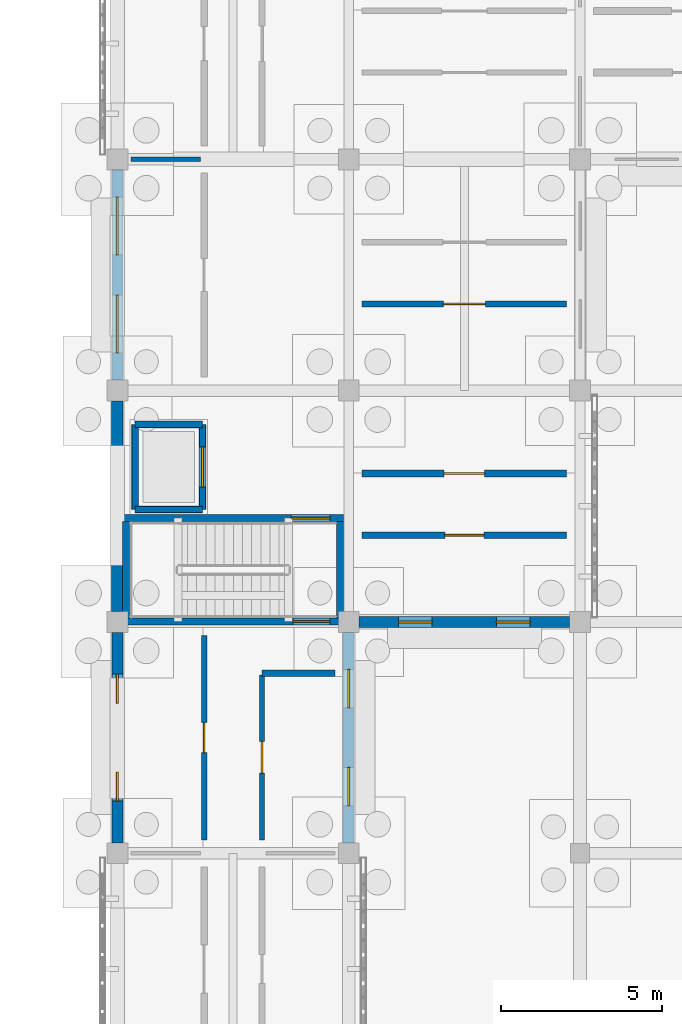
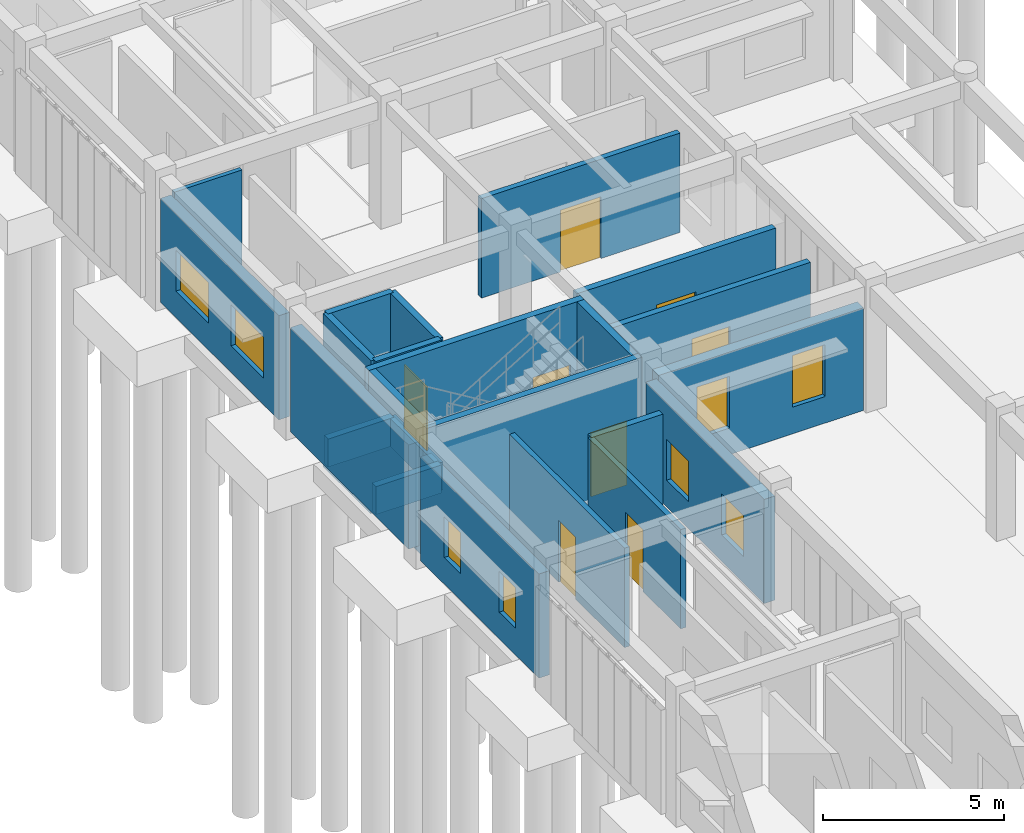
# One storey, part 63 of 111: 24 walls, 8 doors, 8 windows, 16 openings.
"""IFC4 building model written with IfcOpenShell, lengths in metres."""

from ifc_helpers import new_model, si_unit, direction, frame, frame_2d, origin, place, context, subcontext, project, spatial, rectangle, extrude, material, layer, layer_set, type_object, element, fill, save


model = new_model("IFC4")

# Units and contexts
model_context = context("Model", 3, precision=1e-05, world=origin(), true_north=direction((0.0, 1.0)))
body_context = subcontext(model_context, "Body", "Model", "MODEL_VIEW")
ifc_project = project(units=[si_unit("LENGTHUNIT", "METRE"), si_unit("AREAUNIT", "SQUARE_METRE"), si_unit("VOLUMEUNIT", "CUBIC_METRE"), si_unit("PLANEANGLEUNIT", "RADIAN"), si_unit("MASSUNIT", "GRAM", prefix="KILO")], contexts=[model_context])

# Site, building, storey
site_placement = place(None, origin())
site = spatial("IfcSite", under=ifc_project, at=site_placement, CompositionType="ELEMENT")
building_placement = place(site_placement, origin())
building = spatial("IfcBuilding", under=site, at=building_placement, Name="Aldebral Square Health Centre", CompositionType="ELEMENT")
storey_placement = place(building_placement, origin())
storey = spatial("IfcBuildingStorey", under=building, at=storey_placement, Name="L00", CompositionType="ELEMENT", Elevation=0.0)

# Wall, openings, windows
ifc_material_1 = material(Name="Cream cantera stone and concrete wall C35/45", Category="masonry")
ifc_layer_1 = layer(ifc_material_1, 0.340087890625, Name="Cream cantera stone and concrete wall C35/45", Category="masonry")
ifc_layer_set_1 = layer_set([ifc_layer_1], Name="Cream cantera stone and concrete wall C35/45")
wall_type_1 = type_object("IfcWallType", Name="EW-CAN-340", PredefinedType="SOLIDWALL", material=ifc_layer_set_1)
wall_1_placement = place(storey_placement, frame((0.0, 28.47509765625, 0.0), z_axis=(0.0, 0.0, 1.0), x_axis=(0.0, -1.0, 0.0)))
wall_1 = element("IfcWall", 1, at=wall_1_placement, inside=storey, type_object=wall_type_1, Name="L00 V6 exterior wall L00-V6-00-03-W", PredefinedType="SOLIDWALL", context=body_context, shape_type="SweptSolid", body=[
    extrude(rectangle(XDim=6.550048828125, YDim=0.340087890625, at=frame_2d((3.27490234375, 0.0))), origin(), (0.0, 0.0, 1.0), 3.52001953125),
])
opening_1_placement = place(wall_1_placement, frame((1.300048828125, 0.0, 0.89990234375)))
opening_1 = element("IfcOpeningElement", 2, at=opening_1_placement, cuts=wall_1, Name="Opening W10", PredefinedType="OPENING", context=body_context, shape_type="SweptSolid", body=[
    extrude(rectangle(XDim=0.89990234375, YDim=1.3798828125, at=frame_2d((0.449951171875, 0.68994140625))), frame((0.0, 0.18017578125, 0.0), z_axis=(0.0, -1.0, 0.0), x_axis=(1.0, 0.0, 0.0)), (0.0, 0.0, 1.0), 0.360107421875),
])
opening_2_placement = place(wall_1_placement, frame((4.35009765625, 0.0, 0.89990234375)))
opening_2 = element("IfcOpeningElement", 3, at=opening_2_placement, cuts=wall_1, Name="Opening W10", PredefinedType="OPENING", context=body_context, shape_type="SweptSolid", body=[
    extrude(rectangle(XDim=0.89990234375, YDim=1.3798828125, at=frame_2d((0.449951171875, 0.68994140625))), frame((0.0, 0.18017578125, 0.0), z_axis=(0.0, -1.0, 0.0), x_axis=(1.0, 0.0, 0.0)), (0.0, 0.0, 1.0), 0.360107421875),
])
ifc_material_2 = material(Name="Thermally broken aluminium and low-E glass", Category="aluminium")
window_type_1 = type_object("IfcWindowType", Name="WIN-W10", PartitioningType="SINGLE_PANEL", PredefinedType="WINDOW", material=ifc_material_2)
window_1_placement = place(opening_1_placement, origin())
window_1 = element("IfcWindow", 4, at=window_1_placement, inside=storey, type_object=window_type_1, Name="L00 clinical window L00-V6-00-03-W.1", OverallHeight=1.3798828125, OverallWidth=0.89990234375, PartitioningType="SINGLE_PANEL", PredefinedType="WINDOW", context=body_context, shape_type="SweptSolid", body=[
    extrude(rectangle(XDim=0.89990234375, YDim=1.3798828125, at=frame_2d((0.449951171875, 0.68994140625))), frame((0.0, 0.030029296875, 0.0), z_axis=(0.0, -1.0, 0.0), x_axis=(1.0, 0.0, 0.0)), (0.0, 0.0, 1.0), 0.06005859375),
])
fill(opening_1, window_1)
window_2_placement = place(opening_2_placement, origin())
window_2 = element("IfcWindow", 5, at=window_2_placement, inside=storey, type_object=window_type_1, Name="L00 clinical window L00-V6-00-03-W.2", OverallHeight=1.3798828125, OverallWidth=0.89990234375, PartitioningType="SINGLE_PANEL", PredefinedType="WINDOW", context=body_context, shape_type="SweptSolid", body=[
    extrude(rectangle(XDim=0.89990234375, YDim=1.3798828125, at=frame_2d((0.449951171875, 0.68994140625))), frame((0.0, 0.030029296875, 0.0), z_axis=(0.0, -1.0, 0.0), x_axis=(1.0, 0.0, 0.0)), (0.0, 0.0, 1.0), 0.06005859375),
])
fill(opening_2, window_2)

wall_2_placement = place(storey_placement, frame((7.199951171875, 21.925048828125, 0.0), z_axis=(0.0, 0.0, 1.0), x_axis=(0.0, 1.0, 0.0)))
wall_2 = element("IfcWall", 6, at=wall_2_placement, inside=storey, type_object=wall_type_1, Name="L00 V6 exterior wall L00-V6-00-03-E", PredefinedType="SOLIDWALL", context=body_context, shape_type="SweptSolid", body=[
    extrude(rectangle(XDim=6.550048828125, YDim=0.340087890625, at=frame_2d((3.27490234375, 0.0))), origin(), (0.0, 0.0, 1.0), 3.52001953125),
])
opening_3_placement = place(wall_2_placement, frame((1.14990234375, 0.0, 0.89990234375)))
opening_3 = element("IfcOpeningElement", 7, at=opening_3_placement, cuts=wall_2, Name="Opening W12", PredefinedType="OPENING", context=body_context, shape_type="SweptSolid", body=[
    extrude(rectangle(XDim=1.199951171875, YDim=1.3798828125, at=frame_2d((0.60009765625, 0.68994140625))), frame((0.0, 0.18017578125, 0.0), z_axis=(0.0, -1.0, 0.0), x_axis=(1.0, 0.0, 0.0)), (0.0, 0.0, 1.0), 0.360107421875),
])
opening_4_placement = place(wall_2_placement, frame((4.199951171875, 0.0, 0.89990234375)))
opening_4 = element("IfcOpeningElement", 8, at=opening_4_placement, cuts=wall_2, Name="Opening W12", PredefinedType="OPENING", context=body_context, shape_type="SweptSolid", body=[
    extrude(rectangle(XDim=1.199951171875, YDim=1.3798828125, at=frame_2d((0.60009765625, 0.68994140625))), frame((0.0, 0.18017578125, 0.0), z_axis=(0.0, -1.0, 0.0), x_axis=(1.0, 0.0, 0.0)), (0.0, 0.0, 1.0), 0.360107421875),
])
window_type_2 = type_object("IfcWindowType", Name="WIN-W12", PartitioningType="SINGLE_PANEL", PredefinedType="WINDOW", material=ifc_material_2)
window_3_placement = place(opening_3_placement, origin())
window_3 = element("IfcWindow", 9, at=window_3_placement, inside=storey, type_object=window_type_2, Name="L00 clinical window L00-V6-00-03-E.1", OverallHeight=1.3798828125, OverallWidth=1.199951171875, PartitioningType="SINGLE_PANEL", PredefinedType="WINDOW", context=body_context, shape_type="SweptSolid", body=[
    extrude(rectangle(XDim=1.199951171875, YDim=1.3798828125, at=frame_2d((0.60009765625, 0.68994140625))), frame((0.0, 0.030029296875, 0.0), z_axis=(0.0, -1.0, 0.0), x_axis=(1.0, 0.0, 0.0)), (0.0, 0.0, 1.0), 0.06005859375),
])
fill(opening_3, window_3)
window_4_placement = place(opening_4_placement, origin())
window_4 = element("IfcWindow", 10, at=window_4_placement, inside=storey, type_object=window_type_2, Name="L00 clinical window L00-V6-00-03-E.2", OverallHeight=1.3798828125, OverallWidth=1.199951171875, PartitioningType="SINGLE_PANEL", PredefinedType="WINDOW", context=body_context, shape_type="SweptSolid", body=[
    extrude(rectangle(XDim=1.199951171875, YDim=1.3798828125, at=frame_2d((0.60009765625, 0.68994140625))), frame((0.0, 0.030029296875, 0.0), z_axis=(0.0, -1.0, 0.0), x_axis=(1.0, 0.0, 0.0)), (0.0, 0.0, 1.0), 0.06005859375),
])
fill(opening_4, window_4)

wall_3_placement = place(storey_placement, frame((0.0, 42.875, 0.0), z_axis=(0.0, 0.0, 1.0), x_axis=(0.0, -1.0, 0.0)))
wall_3 = element("IfcWall", 11, at=wall_3_placement, inside=storey, type_object=wall_type_1, Name="L00 V6 exterior wall L00-V6-00-05-W", PredefinedType="SOLIDWALL", context=body_context, shape_type="SweptSolid", body=[
    extrude(rectangle(XDim=6.550048828125, YDim=0.340087890625, at=frame_2d((3.27490234375, 0.0))), origin(), (0.0, 0.0, 1.0), 3.52001953125),
])
opening_5_placement = place(wall_3_placement, frame((0.85009765625, 0.0, 0.89990234375)))
opening_5 = element("IfcOpeningElement", 12, at=opening_5_placement, cuts=wall_3, Name="Opening W16", PredefinedType="OPENING", context=body_context, shape_type="SweptSolid", body=[
    extrude(rectangle(XDim=1.800048828125, YDim=1.3798828125, at=frame_2d((0.89990234375, 0.68994140625))), frame((0.0, 0.18017578125, 0.0), z_axis=(0.0, -1.0, 0.0), x_axis=(1.0, 0.0, 0.0)), (0.0, 0.0, 1.0), 0.360107421875),
])
opening_6_placement = place(wall_3_placement, frame((3.89990234375, 0.0, 0.89990234375)))
opening_6 = element("IfcOpeningElement", 13, at=opening_6_placement, cuts=wall_3, Name="Opening W16", PredefinedType="OPENING", context=body_context, shape_type="SweptSolid", body=[
    extrude(rectangle(XDim=1.800048828125, YDim=1.3798828125, at=frame_2d((0.89990234375, 0.68994140625))), frame((0.0, 0.18017578125, 0.0), z_axis=(0.0, -1.0, 0.0), x_axis=(1.0, 0.0, 0.0)), (0.0, 0.0, 1.0), 0.360107421875),
])
window_type_3 = type_object("IfcWindowType", Name="WIN-W16", PartitioningType="SINGLE_PANEL", PredefinedType="WINDOW", material=ifc_material_2)
window_5_placement = place(opening_5_placement, origin())
window_5 = element("IfcWindow", 14, at=window_5_placement, inside=storey, type_object=window_type_3, Name="L00 clinical window L00-V6-00-05-W.1", OverallHeight=1.3798828125, OverallWidth=1.800048828125, PartitioningType="SINGLE_PANEL", PredefinedType="WINDOW", context=body_context, shape_type="SweptSolid", body=[
    extrude(rectangle(XDim=1.800048828125, YDim=1.3798828125, at=frame_2d((0.89990234375, 0.68994140625))), frame((0.0, 0.030029296875, 0.0), z_axis=(0.0, -1.0, 0.0), x_axis=(1.0, 0.0, 0.0)), (0.0, 0.0, 1.0), 0.06005859375),
])
fill(opening_5, window_5)
window_6_placement = place(opening_6_placement, origin())
window_6 = element("IfcWindow", 15, at=window_6_placement, inside=storey, type_object=window_type_3, Name="L00 clinical window L00-V6-00-05-W.2", OverallHeight=1.3798828125, OverallWidth=1.800048828125, PartitioningType="SINGLE_PANEL", PredefinedType="WINDOW", context=body_context, shape_type="SweptSolid", body=[
    extrude(rectangle(XDim=1.800048828125, YDim=1.3798828125, at=frame_2d((0.89990234375, 0.68994140625))), frame((0.0, 0.030029296875, 0.0), z_axis=(0.0, -1.0, 0.0), x_axis=(1.0, 0.0, 0.0)), (0.0, 0.0, 1.0), 0.06005859375),
])
fill(opening_6, window_6)

wall_4_placement = place(storey_placement, frame((7.52490234375, 28.800048828125, 0.0), z_axis=(0.0, 0.0, 1.0), x_axis=(1.0, 0.0, 0.0)))
wall_4 = element("IfcWall", 16, at=wall_4_placement, inside=storey, type_object=wall_type_1, Name="L00 V6 exterior wall L00-V6-01-04-S", PredefinedType="SOLIDWALL", context=body_context, shape_type="SweptSolid", body=[
    extrude(rectangle(XDim=6.550048828125, YDim=0.340087890625, at=frame_2d((3.27490234375, 0.0))), origin(), (0.0, 0.0, 1.0), 3.469970703125),
])
opening_7_placement = place(wall_4_placement, frame((1.22509765625, 0.0, 0.89990234375)))
opening_7 = element("IfcOpeningElement", 17, at=opening_7_placement, cuts=wall_4, Name="Opening W38", PredefinedType="OPENING", context=body_context, shape_type="SweptSolid", body=[
    extrude(rectangle(XDim=1.050048828125, YDim=1.75, at=frame_2d((0.52490234375, 0.875))), frame((0.0, 0.18017578125, 0.0), z_axis=(0.0, -1.0, 0.0), x_axis=(1.0, 0.0, 0.0)), (0.0, 0.0, 1.0), 0.360107421875),
])
opening_8_placement = place(wall_4_placement, frame((4.27490234375, 0.0, 0.89990234375)))
opening_8 = element("IfcOpeningElement", 18, at=opening_8_placement, cuts=wall_4, Name="Opening W38", PredefinedType="OPENING", context=body_context, shape_type="SweptSolid", body=[
    extrude(rectangle(XDim=1.050048828125, YDim=1.75, at=frame_2d((0.52490234375, 0.875))), frame((0.0, 0.18017578125, 0.0), z_axis=(0.0, -1.0, 0.0), x_axis=(1.0, 0.0, 0.0)), (0.0, 0.0, 1.0), 0.360107421875),
])
window_type_4 = type_object("IfcWindowType", Name="WIN-W38", PartitioningType="SINGLE_PANEL", PredefinedType="WINDOW", material=ifc_material_2)
window_7_placement = place(opening_7_placement, origin())
window_7 = element("IfcWindow", 19, at=window_7_placement, inside=storey, type_object=window_type_4, Name="L00 clinical window L00-V6-01-04-S.1", OverallHeight=1.75, OverallWidth=1.050048828125, PartitioningType="SINGLE_PANEL", PredefinedType="WINDOW", context=body_context, shape_type="SweptSolid", body=[
    extrude(rectangle(XDim=1.050048828125, YDim=1.75, at=frame_2d((0.52490234375, 0.875))), frame((0.0, 0.030029296875, 0.0), z_axis=(0.0, -1.0, 0.0), x_axis=(1.0, 0.0, 0.0)), (0.0, 0.0, 1.0), 0.06005859375),
])
fill(opening_7, window_7)
window_8_placement = place(opening_8_placement, origin())
window_8 = element("IfcWindow", 20, at=window_8_placement, inside=storey, type_object=window_type_4, Name="L00 clinical window L00-V6-01-04-S.2", OverallHeight=1.75, OverallWidth=1.050048828125, PartitioningType="SINGLE_PANEL", PredefinedType="WINDOW", context=body_context, shape_type="SweptSolid", body=[
    extrude(rectangle(XDim=1.050048828125, YDim=1.75, at=frame_2d((0.52490234375, 0.875))), frame((0.0, 0.030029296875, 0.0), z_axis=(0.0, -1.0, 0.0), x_axis=(1.0, 0.0, 0.0)), (0.0, 0.0, 1.0), 0.06005859375),
])
fill(opening_8, window_8)

# Wall
ifc_layer_2 = layer(ifc_material_1, 0.360107421875, Name="Cream cantera stone and concrete wall C35/45", Category="masonry")
ifc_layer_set_2 = layer_set([ifc_layer_2], Name="Cream cantera stone and concrete wall C35/45")
wall_type_2 = type_object("IfcWallType", Name="EW-CAN-360", PredefinedType="SOLIDWALL", material=ifc_layer_set_2)
wall_5_placement = place(storey_placement, frame((0.0, 35.675048828125, 0.0), z_axis=(0.0, 0.0, 1.0), x_axis=(0.0, -1.0, 0.0)))
element("IfcWall", 21, at=wall_5_placement, inside=storey, type_object=wall_type_2, Name="L00 V6 exterior wall L00-V6-00-04-W", PredefinedType="SOLIDWALL", context=body_context, shape_type="SweptSolid", body=[
    extrude(rectangle(XDim=6.550048828125, YDim=0.360107421875, at=frame_2d((3.27490234375, 0.0))), origin(), (0.0, 0.0, 1.0), 3.52001953125),
])

# Wall, opening, door
ifc_material_3 = material(Name="Concrete C35/45 compartment wall", Category="concrete")
ifc_layer_3 = layer(ifc_material_3, 0.199951171875, Name="Concrete C35/45 compartment wall", Category="concrete")
ifc_layer_set_3 = layer_set([ifc_layer_3], Name="Concrete C35/45 compartment wall")
wall_type_3 = type_object("IfcWallType", Name="IW-CMP-200", PredefinedType="SOLIDWALL", material=ifc_layer_set_3)
wall_6_placement = place(storey_placement, frame((7.6201171875, 31.5, 0.0), z_axis=(0.0, 0.0, 1.0), x_axis=(1.0, 0.0, 0.0)))
wall_6 = element("IfcWall", 22, at=wall_6_placement, inside=storey, type_object=wall_type_3, Name="L00 Nutrition Teaching Studio 2.5S corridor wall", PredefinedType="SOLIDWALL", context=body_context, shape_type="SweptSolid", body=[
    extrude(rectangle(XDim=6.35986328125, YDim=0.199951171875, at=frame_2d((3.179931640625, 0.0))), origin(), (0.0, 0.0, 1.0), 3.360107421875),
])
opening_9_placement = place(wall_6_placement, frame((2.570068359375, 0.0, 0.0)))
opening_9 = element("IfcOpeningElement", 23, at=opening_9_placement, cuts=wall_6, Name="Opening D-0177", PredefinedType="OPENING", context=body_context, shape_type="SweptSolid", body=[
    extrude(rectangle(XDim=1.219970703125, YDim=2.090087890625, at=frame_2d((0.60986328125, 1.044921875))), frame((0.0, 0.10986328125, 0.0), z_axis=(0.0, -1.0, 0.0), x_axis=(1.0, 0.0, 0.0)), (0.0, 0.0, 1.0), 0.219970703125),
])
ifc_material_4 = material(Name="Clinical suite fire door")
door_type_1 = type_object("IfcDoorType", Name="ID-EXD-24", OperationType="NOTDEFINED", PredefinedType="DOOR", material=ifc_material_4)
door_1_placement = place(opening_9_placement, origin())
door_1 = element("IfcDoor", 24, at=door_1_placement, inside=storey, type_object=door_type_1, Name="L00 Nutrition Teaching Studio 2.5S door", OperationType="SINGLE_SWING_RIGHT", OverallHeight=2.090087890625, OverallWidth=1.219970703125, PredefinedType="DOOR", context=body_context, shape_type="SweptSolid", body=[
    extrude(rectangle(XDim=1.219970703125, YDim=2.090087890625, at=frame_2d((0.60986328125, 1.044921875))), frame((0.0, 0.02490234375, 0.0), z_axis=(0.0, -1.0, 0.0), x_axis=(1.0, 0.0, 0.0)), (0.0, 0.0, 1.0), 0.050048828125),
])
fill(opening_9, door_1)

ifc_material_5 = material(Name="Fire-rated acoustic gypsum partition")
ifc_layer_4 = layer(ifc_material_5, 0.1650390625, Name="Fire-rated acoustic gypsum partition")
ifc_layer_set_4 = layer_set([ifc_layer_4], Name="Fire-rated acoustic gypsum partition")
wall_type_4 = type_object("IfcWallType", Name="IW-COR-165", PredefinedType="PARTITIONING", material=ifc_layer_set_4)
wall_7_placement = place(storey_placement, frame((2.699951171875, 22.02001953125, 0.0), z_axis=(0.0, 0.0, 1.0), x_axis=(0.0, 1.0, 0.0)))
wall_7 = element("IfcWall", 25, at=wall_7_placement, inside=storey, type_object=wall_type_4, Name="L00 Health Education Classroom 1.4W corridor wall", PredefinedType="PARTITIONING", context=body_context, shape_type="SweptSolid", body=[
    extrude(rectangle(XDim=6.35986328125, YDim=0.1650390625, at=frame_2d((3.179931640625, 0.0))), origin(), (0.0, 0.0, 1.0), 3.360107421875),
])
opening_10_placement = place(wall_7_placement, frame((2.7099609375, 0.0, 0.0)))
opening_10 = element("IfcOpeningElement", 26, at=opening_10_placement, cuts=wall_7, Name="Opening D-0170", PredefinedType="OPENING", context=body_context, shape_type="SweptSolid", body=[
    extrude(rectangle(XDim=0.93994140625, YDim=2.090087890625, at=frame_2d((0.469970703125, 1.044921875))), frame((0.0, 0.092529296875, 0.0), z_axis=(0.0, -1.0, 0.0), x_axis=(1.0, 0.0, 0.0)), (0.0, 0.0, 1.0), 0.18505859375),
])
door_type_2 = type_object("IfcDoorType", Name="ID-EXD-17", OperationType="NOTDEFINED", PredefinedType="DOOR", material=ifc_material_4)
door_2_placement = place(opening_10_placement, origin())
door_2 = element("IfcDoor", 27, at=door_2_placement, inside=storey, type_object=door_type_2, Name="L00 Health Education Classroom 1.4W door", OperationType="SINGLE_SWING_LEFT", OverallHeight=2.090087890625, OverallWidth=0.93994140625, PredefinedType="DOOR", context=body_context, shape_type="SweptSolid", body=[
    extrude(rectangle(XDim=0.93994140625, YDim=2.090087890625, at=frame_2d((0.469970703125, 1.044921875))), frame((0.0, 0.02490234375, 0.0), z_axis=(0.0, -1.0, 0.0), x_axis=(1.0, 0.0, 0.0)), (0.0, 0.0, 1.0), 0.050048828125),
])
fill(opening_10, door_2)

wall_8_placement = place(storey_placement, frame((4.5, 22.02001953125, 0.0), z_axis=(0.0, 0.0, 1.0), x_axis=(0.0, 1.0, 0.0)))
wall_8 = element("IfcWall", 28, at=wall_8_placement, inside=storey, type_object=wall_type_4, Name="L00 Social Work Interview Room 1.4E corridor wall", PredefinedType="PARTITIONING", context=body_context, shape_type="SweptSolid", body=[
    extrude(rectangle(XDim=5.1298828125, YDim=0.1650390625, at=frame_2d((2.56494140625, 0.0))), origin(), (0.0, 0.0, 1.0), 3.360107421875),
])
opening_11_placement = place(wall_8_placement, frame((2.074951171875, 0.0, 0.0)))
opening_11 = element("IfcOpeningElement", 29, at=opening_11_placement, cuts=wall_8, Name="Opening D-0171", PredefinedType="OPENING", context=body_context, shape_type="SweptSolid", body=[
    extrude(rectangle(XDim=0.97998046875, YDim=2.090087890625, at=frame_2d((0.489990234375, 1.044921875))), frame((0.0, 0.092529296875, 0.0), z_axis=(0.0, -1.0, 0.0), x_axis=(1.0, 0.0, 0.0)), (0.0, 0.0, 1.0), 0.18505859375),
])
door_type_3 = type_object("IfcDoorType", Name="ID-EXD-18", OperationType="NOTDEFINED", PredefinedType="DOOR", material=ifc_material_4)
door_3_placement = place(opening_11_placement, origin())
door_3 = element("IfcDoor", 30, at=door_3_placement, inside=storey, type_object=door_type_3, Name="L00 Social Work Interview Room 1.4E door", OperationType="SINGLE_SWING_RIGHT", OverallHeight=2.090087890625, OverallWidth=0.97998046875, PredefinedType="DOOR", context=body_context, shape_type="SweptSolid", body=[
    extrude(rectangle(XDim=0.97998046875, YDim=2.090087890625, at=frame_2d((0.489990234375, 1.044921875))), frame((0.0, 0.02490234375, 0.0), z_axis=(0.0, -1.0, 0.0), x_axis=(1.0, 0.0, 0.0)), (0.0, 0.0, 1.0), 0.050048828125),
])
fill(opening_11, door_3)

ifc_layer_5 = layer(ifc_material_5, 0.179931640625, Name="Fire-rated acoustic gypsum partition")
ifc_layer_set_5 = layer_set([ifc_layer_5], Name="Fire-rated acoustic gypsum partition")
wall_type_5 = type_object("IfcWallType", Name="IW-COR-180", PredefinedType="PARTITIONING", material=ifc_layer_set_5)
wall_9_placement = place(storey_placement, frame((7.6201171875, 38.699951171875, 0.0), z_axis=(0.0, 0.0, 1.0), x_axis=(1.0, 0.0, 0.0)))
wall_9 = element("IfcWall", 31, at=wall_9_placement, inside=storey, type_object=wall_type_5, Name="L00 Community Room 2.6S corridor wall", PredefinedType="PARTITIONING", context=body_context, shape_type="SweptSolid", body=[
    extrude(rectangle(XDim=6.35986328125, YDim=0.179931640625, at=frame_2d((3.179931640625, 0.0))), origin(), (0.0, 0.0, 1.0), 3.360107421875),
])
opening_12_placement = place(wall_9_placement, frame((2.530029296875, 0.0, 0.0)))
opening_12 = element("IfcOpeningElement", 32, at=opening_12_placement, cuts=wall_9, Name="Opening D-0179", PredefinedType="OPENING", context=body_context, shape_type="SweptSolid", body=[
    extrude(rectangle(XDim=1.300048828125, YDim=2.090087890625, at=frame_2d((0.64990234375, 1.044921875))), frame((0.0, 0.10009765625, 0.0), z_axis=(0.0, -1.0, 0.0), x_axis=(1.0, 0.0, 0.0)), (0.0, 0.0, 1.0), 0.199951171875),
])
door_type_4 = type_object("IfcDoorType", Name="ID-EXD-26", OperationType="NOTDEFINED", PredefinedType="DOOR", material=ifc_material_4)
door_4_placement = place(opening_12_placement, origin())
door_4 = element("IfcDoor", 33, at=door_4_placement, inside=storey, type_object=door_type_4, Name="L00 Community Room 2.6S door", OperationType="SINGLE_SWING_RIGHT", OverallHeight=2.090087890625, OverallWidth=1.300048828125, PredefinedType="DOOR", context=body_context, shape_type="SweptSolid", body=[
    extrude(rectangle(XDim=1.300048828125, YDim=2.090087890625, at=frame_2d((0.64990234375, 1.044921875))), frame((0.0, 0.02490234375, 0.0), z_axis=(0.0, -1.0, 0.0), x_axis=(1.0, 0.0, 0.0)), (0.0, 0.0, 1.0), 0.050048828125),
])
fill(opening_12, door_4)

ifc_material_6 = material(Name="Concrete C40/50", Category="concrete")
ifc_layer_6 = layer(ifc_material_6, 0.219970703125, Name="Concrete C40/50", Category="concrete")
ifc_layer_set_6 = layer_set([ifc_layer_6], Name="Concrete C40/50")
wall_type_6 = type_object("IfcWallType", Name="IW-CORE-280", PredefinedType="SHEAR", material=ifc_layer_set_6)
wall_10_placement = place(storey_placement, frame((0.159912109375, 28.81005859375, -0.25), z_axis=(0.0, 0.0, 1.0), x_axis=(1.0, 0.0, 0.0)))
wall_10 = element("IfcWall", 34, at=wall_10_placement, inside=storey, type_object=wall_type_6, Name="L00 WC-C5 shaft wall S", PredefinedType="SHEAR", context=body_context, shape_type="SweptSolid", body=[
    extrude(rectangle(XDim=6.880126953125, YDim=0.219970703125, at=frame_2d((3.43994140625, 0.0))), origin(), (0.0, 0.0, 1.0), 4.469970703125),
])
opening_13_placement = place(wall_10_placement, frame((5.300048828125, 0.0, 0.25)))
opening_13 = element("IfcOpeningElement", 35, at=opening_13_placement, cuts=wall_10, Name="Opening D-0055", PredefinedType="OPENING", context=body_context, shape_type="SweptSolid", body=[
    extrude(rectangle(XDim=1.14990234375, YDim=2.14990234375, at=frame_2d((0.574951171875, 1.074951171875))), frame((0.0, 0.1201171875, 0.0), z_axis=(0.0, -1.0, 0.0), x_axis=(1.0, 0.0, 0.0)), (0.0, 0.0, 1.0), 0.239990234375),
])
ifc_material_7 = material(Name="Fire-rated steel lobby stair door", Category="steel")
door_type_5 = type_object("IfcDoorType", Name="ID-ST-115", OperationType="NOTDEFINED", PredefinedType="DOOR", material=ifc_material_7)
door_5_placement = place(opening_13_placement, origin())
door_5 = element("IfcDoor", 36, at=door_5_placement, inside=storey, type_object=door_type_5, Name="L00 ST-05 south lobby fire door", OperationType="SINGLE_SWING_LEFT", OverallHeight=2.14990234375, OverallWidth=1.14990234375, PredefinedType="DOOR", context=body_context, shape_type="SweptSolid", body=[
    extrude(rectangle(XDim=1.14990234375, YDim=2.14990234375, at=frame_2d((0.574951171875, 1.074951171875))), frame((0.0, 0.02490234375, 0.0), z_axis=(0.0, -1.0, 0.0), x_axis=(1.0, 0.0, 0.0)), (0.0, 0.0, 1.0), 0.050048828125),
])
fill(opening_13, door_5)

wall_11_placement = place(storey_placement, frame((0.159912109375, 32.030029296875, -0.25), z_axis=(0.0, 0.0, 1.0), x_axis=(1.0, 0.0, 0.0)))
wall_11 = element("IfcWall", 37, at=wall_11_placement, inside=storey, type_object=wall_type_6, Name="L00 WC-C5 shaft wall N", PredefinedType="SHEAR", context=body_context, shape_type="SweptSolid", body=[
    extrude(rectangle(XDim=6.880126953125, YDim=0.219970703125, at=frame_2d((3.43994140625, 0.0))), origin(), (0.0, 0.0, 1.0), 4.469970703125),
])
opening_14_placement = place(wall_11_placement, frame((5.25, 0.0, 0.25)))
opening_14 = element("IfcOpeningElement", 38, at=opening_14_placement, cuts=wall_11, Name="Opening D-0054", PredefinedType="OPENING", context=body_context, shape_type="SweptSolid", body=[
    extrude(rectangle(XDim=1.199951171875, YDim=2.14990234375, at=frame_2d((0.60009765625, 1.074951171875))), frame((0.0, 0.1201171875, 0.0), z_axis=(0.0, -1.0, 0.0), x_axis=(1.0, 0.0, 0.0)), (0.0, 0.0, 1.0), 0.239990234375),
])
ifc_material_8 = material(Name="Fire-rated steel stair door", Category="steel")
door_type_6 = type_object("IfcDoorType", Name="ID-ST-120", OperationType="NOTDEFINED", PredefinedType="DOOR", material=ifc_material_8)
door_6_placement = place(opening_14_placement, origin())
door_6 = element("IfcDoor", 39, at=door_6_placement, inside=storey, type_object=door_type_6, Name="L00 ST-05 fire door", OperationType="SINGLE_SWING_LEFT", OverallHeight=2.14990234375, OverallWidth=1.199951171875, PredefinedType="DOOR", context=body_context, shape_type="SweptSolid", body=[
    extrude(rectangle(XDim=1.199951171875, YDim=2.14990234375, at=frame_2d((0.60009765625, 1.074951171875))), frame((0.0, 0.02490234375, 0.0), z_axis=(0.0, -1.0, 0.0), x_axis=(1.0, 0.0, 0.0)), (0.0, 0.0, 1.0), 0.050048828125),
])
fill(opening_14, door_6)

# Walls
for number, where, z_axis, x_axis, name in (
    (40, (0.27001953125, 28.919921875, -0.25), (0.0, 0.0, 1.0), (0.0, 1.0, 0.0), "L00 WC-C5 shaft wall W"),
    (41, (6.929931640625, 28.919921875, -0.25), (0.0, 0.0, 1.0), (0.0, 1.0, 0.0), "L00 WC-C5 shaft wall E"),
):
    element("IfcWall", number, at=place(storey_placement, frame(where, z_axis=z_axis, x_axis=x_axis)), inside=storey, type_object=wall_type_6, Name=name, PredefinedType="SHEAR", context=body_context, shape_type="SweptSolid", body=[
        extrude(rectangle(XDim=3.0, YDim=0.219970703125, at=frame_2d((1.5, 0.0))), origin(), (0.0, 0.0, 1.0), 4.469970703125),
    ])
ifc_layer_7 = layer(ifc_material_6, 0.219970703125, Name="Concrete C40/50", Category="concrete")
ifc_layer_set_7 = layer_set([ifc_layer_7], Name="Concrete C40/50")
wall_type_7 = type_object("IfcWallType", Name="IW-LFT-220", PredefinedType="SHEAR", material=ifc_layer_set_7)
wall_12_placement = place(storey_placement, frame((0.550048828125, 32.300048828125, -0.949951171875), z_axis=(0.0, 0.0, 1.0), x_axis=(1.0, 0.0, 0.0)))
element("IfcWall", 42, at=wall_12_placement, inside=storey, type_object=wall_type_7, Name="LF-05 pit wall 1", PredefinedType="SHEAR", context=body_context, shape_type="SweptSolid", body=[
    extrude(rectangle(XDim=2.099853515625, YDim=0.219970703125, at=frame_2d((1.0498046875, 0.0))), origin(), (0.0, 0.0, 1.0), 0.949951171875),
])
wall_13_placement = place(storey_placement, frame((2.64990234375, 32.300048828125, -0.949951171875), z_axis=(0.0, 0.0, 1.0), x_axis=(0.0, 1.0, 0.0)))
element("IfcWall", 43, at=wall_13_placement, inside=storey, type_object=wall_type_7, Name="LF-05 pit wall 2", PredefinedType="SHEAR", context=body_context, shape_type="SweptSolid", body=[
    extrude(rectangle(XDim=2.64990234375, YDim=0.219970703125, at=frame_2d((1.324951171875, 0.0))), origin(), (0.0, 0.0, 1.0), 0.949951171875),
])
wall_14_placement = place(storey_placement, frame((2.64990234375, 34.949951171875, -0.949951171875), z_axis=(0.0, 0.0, 1.0), x_axis=(-1.0, 0.0, 0.0)))
element("IfcWall", 44, at=wall_14_placement, inside=storey, type_object=wall_type_7, Name="LF-05 pit wall 3", PredefinedType="SHEAR", context=body_context, shape_type="SweptSolid", body=[
    extrude(rectangle(XDim=2.099853515625, YDim=0.219970703125, at=frame_2d((1.0498046875, 0.0))), origin(), (0.0, 0.0, 1.0), 0.949951171875),
])
wall_15_placement = place(storey_placement, frame((0.550048828125, 34.949951171875, -0.949951171875), z_axis=(0.0, 0.0, 1.0), x_axis=(0.0, -1.0, 0.0)))
element("IfcWall", 45, at=wall_15_placement, inside=storey, type_object=wall_type_7, Name="LF-05 pit wall 4", PredefinedType="SHEAR", context=body_context, shape_type="SweptSolid", body=[
    extrude(rectangle(XDim=2.64990234375, YDim=0.219970703125, at=frame_2d((1.324951171875, 0.0))), origin(), (0.0, 0.0, 1.0), 0.949951171875),
])
ifc_layer_8 = layer(ifc_material_6, 0.199951171875, Name="Concrete C40/50", Category="concrete")
ifc_layer_set_8 = layer_set([ifc_layer_8], Name="Concrete C40/50")
wall_type_8 = type_object("IfcWallType", Name="IW-LFT-250", PredefinedType="SHEAR", material=ifc_layer_set_8)
wall_16_placement = place(storey_placement, frame((0.550048828125, 32.300048828125, 0.0), z_axis=(0.0, 0.0, 1.0), x_axis=(1.0, 0.0, 0.0)))
element("IfcWall", 46, at=wall_16_placement, inside=storey, type_object=wall_type_8, Name="L00 LF-05 shaft wall S", PredefinedType="SHEAR", context=body_context, shape_type="SweptSolid", body=[
    extrude(rectangle(XDim=2.099853515625, YDim=0.199951171875, at=frame_2d((1.0498046875, 0.0))), origin(), (0.0, 0.0, 1.0), 4.219970703125),
])
wall_17_placement = place(storey_placement, frame((0.550048828125, 32.300048828125, 0.0), z_axis=(0.0, 0.0, 1.0), x_axis=(0.0, 1.0, 0.0)))
element("IfcWall", 47, at=wall_17_placement, inside=storey, type_object=wall_type_8, Name="L00 LF-05 shaft wall W", PredefinedType="SHEAR", context=body_context, shape_type="SweptSolid", body=[
    extrude(rectangle(XDim=2.64990234375, YDim=0.199951171875, at=frame_2d((1.324951171875, 0.0))), origin(), (0.0, 0.0, 1.0), 4.219970703125),
])
wall_18_placement = place(storey_placement, frame((0.550048828125, 34.949951171875, 0.0), z_axis=(0.0, 0.0, 1.0), x_axis=(1.0, 0.0, 0.0)))
element("IfcWall", 48, at=wall_18_placement, inside=storey, type_object=wall_type_8, Name="L00 LF-05 shaft wall N", PredefinedType="SHEAR", context=body_context, shape_type="SweptSolid", body=[
    extrude(rectangle(XDim=2.099853515625, YDim=0.199951171875, at=frame_2d((1.0498046875, 0.0))), origin(), (0.0, 0.0, 1.0), 4.219970703125),
])

# Wall, opening, door
wall_19_placement = place(storey_placement, frame((2.64990234375, 32.300048828125, 0.0), z_axis=(0.0, 0.0, 1.0), x_axis=(0.0, 1.0, 0.0)))
wall_19 = element("IfcWall", 49, at=wall_19_placement, inside=storey, type_object=wall_type_8, Name="L00 LF-05 landing wall", PredefinedType="SHEAR", context=body_context, shape_type="SweptSolid", body=[
    extrude(rectangle(XDim=2.64990234375, YDim=0.199951171875, at=frame_2d((1.324951171875, 0.0))), origin(), (0.0, 0.0, 1.0), 4.219970703125),
])
opening_15_placement = place(wall_19_placement, frame((0.699951171875, 0.0, 0.0)))
opening_15 = element("IfcOpeningElement", 50, at=opening_15_placement, cuts=wall_19, Name="Opening LD-5", PredefinedType="OPENING", context=body_context, shape_type="SweptSolid", body=[
    extrude(rectangle(XDim=1.25, YDim=2.14990234375, at=frame_2d((0.625, 1.074951171875))), frame((0.0, 0.10986328125, 0.0), z_axis=(0.0, -1.0, 0.0), x_axis=(1.0, 0.0, 0.0)), (0.0, 0.0, 1.0), 0.219970703125),
])
ifc_material_9 = material(Name="Stainless steel surgical lift landing door", Category="steel")
door_type_7 = type_object("IfcDoorType", Name="ID-LD-125", OperationType="SLIDING_TO_LEFT", PredefinedType="DOOR", material=ifc_material_9)
door_7_placement = place(opening_15_placement, origin())
door_7 = element("IfcDoor", 51, at=door_7_placement, inside=storey, type_object=door_type_7, Name="L00 LF-05 sliding landing door", OperationType="SLIDING_TO_LEFT", OverallHeight=2.14990234375, OverallWidth=1.25, PredefinedType="DOOR", context=body_context, shape_type="SweptSolid", body=[
    extrude(rectangle(XDim=1.25, YDim=2.14990234375, at=frame_2d((0.625, 1.074951171875))), frame((0.0, 0.02490234375, 0.0), z_axis=(0.0, -1.0, 0.0), x_axis=(1.0, 0.0, 0.0)), (0.0, 0.0, 1.0), 0.050048828125),
])
fill(opening_15, door_7)

# Wall
ifc_material_10 = material(Name="Moisture-resistant sanitary chase wall")
ifc_layer_9 = layer(ifc_material_10, 0.2099609375, Name="Moisture-resistant sanitary chase wall")
ifc_layer_set_9 = layer_set([ifc_layer_9], Name="Moisture-resistant sanitary chase wall")
wall_type_9 = type_object("IfcWallType", Name="IW-PLB-210", PredefinedType="PLUMBINGWALL", material=ifc_layer_set_9)
wall_20_placement = place(storey_placement, frame((4.5, 27.199951171875, 0.0), z_axis=(0.0, 0.0, 1.0), x_axis=(1.0, 0.0, 0.0)))
element("IfcWall", 52, at=wall_20_placement, inside=storey, type_object=wall_type_9, Name="L00 Social Work Interview Room 1.4E lobby return wall", PredefinedType="PLUMBINGWALL", context=body_context, shape_type="SweptSolid", body=[
    extrude(rectangle(XDim=2.280029296875, YDim=0.2099609375, at=frame_2d((1.14013671875, 0.0))), origin(), (0.0, 0.0, 1.0), 3.360107421875),
])

# Wall, opening, door
wall_21_placement = place(storey_placement, frame((7.6201171875, 33.419921875, 0.0), z_axis=(0.0, 0.0, 1.0), x_axis=(1.0, 0.0, 0.0)))
wall_21 = element("IfcWall", 53, at=wall_21_placement, inside=storey, type_object=wall_type_9, Name="L00 Accessible WC 2.5N corridor wall", PredefinedType="PLUMBINGWALL", context=body_context, shape_type="SweptSolid", body=[
    extrude(rectangle(XDim=6.35986328125, YDim=0.2099609375, at=frame_2d((3.179931640625, 0.0))), origin(), (0.0, 0.0, 1.0), 3.360107421875),
])
opening_16_placement = place(wall_21_placement, frame((2.550048828125, 0.0, 0.0)))
opening_16 = element("IfcOpeningElement", 54, at=opening_16_placement, cuts=wall_21, Name="Opening D-0178", PredefinedType="OPENING", context=body_context, shape_type="SweptSolid", body=[
    extrude(rectangle(XDim=1.260009765625, YDim=2.090087890625, at=frame_2d((0.6298828125, 1.044921875))), frame((0.0, 0.114990234375, 0.0), z_axis=(0.0, -1.0, 0.0), x_axis=(1.0, 0.0, 0.0)), (0.0, 0.0, 1.0), 0.22998046875),
])
door_type_8 = type_object("IfcDoorType", Name="ID-EXD-25", OperationType="NOTDEFINED", PredefinedType="DOOR", material=ifc_material_4)
door_8_placement = place(opening_16_placement, origin())
door_8 = element("IfcDoor", 55, at=door_8_placement, inside=storey, type_object=door_type_8, Name="L00 Accessible WC 2.5N door", OperationType="SINGLE_SWING_LEFT", OverallHeight=2.090087890625, OverallWidth=1.260009765625, PredefinedType="DOOR", context=body_context, shape_type="SweptSolid", body=[
    extrude(rectangle(XDim=1.260009765625, YDim=2.090087890625, at=frame_2d((0.6298828125, 1.044921875))), frame((0.0, 0.02490234375, 0.0), z_axis=(0.0, -1.0, 0.0), x_axis=(1.0, 0.0, 0.0)), (0.0, 0.0, 1.0), 0.050048828125),
])
fill(opening_16, door_8)

# Wall
ifc_material_11 = material(Name="Acoustic clinical gypsum partition")
ifc_layer_10 = layer(ifc_material_11, 0.135009765625, Name="Acoustic clinical gypsum partition")
ifc_layer_set_10 = layer_set([ifc_layer_10], Name="Acoustic clinical gypsum partition")
wall_type_10 = type_object("IfcWallType", Name="IW-PRT-135", PredefinedType="PARTITIONING", material=ifc_layer_set_10)
wall_22_placement = place(storey_placement, frame((0.419921875, 43.199951171875, 0.0), z_axis=(0.0, 0.0, 1.0), x_axis=(1.0, 0.0, 0.0)))
element("IfcWall", 56, at=wall_22_placement, inside=storey, type_object=wall_type_10, Name="L00 Nutrition Teaching Studio 1.6W demising partition", PredefinedType="PARTITIONING", context=body_context, shape_type="SweptSolid", body=[
    extrude(rectangle(XDim=2.16015625, YDim=0.135009765625, at=frame_2d((1.080078125, 0.0))), origin(), (0.0, 0.0, 1.0), 3.360107421875),
])

save(model, "model.ifc")
